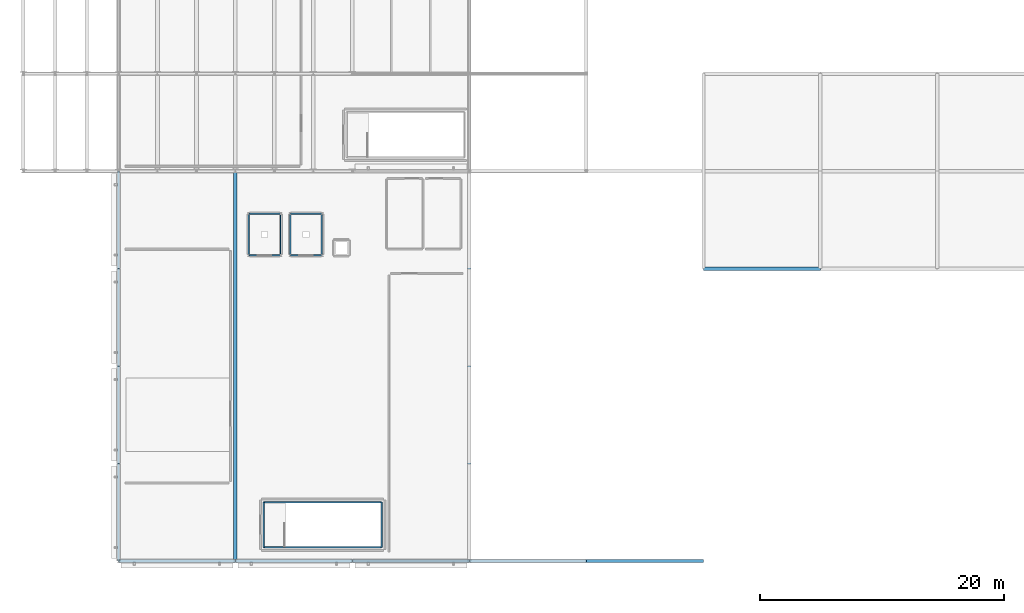
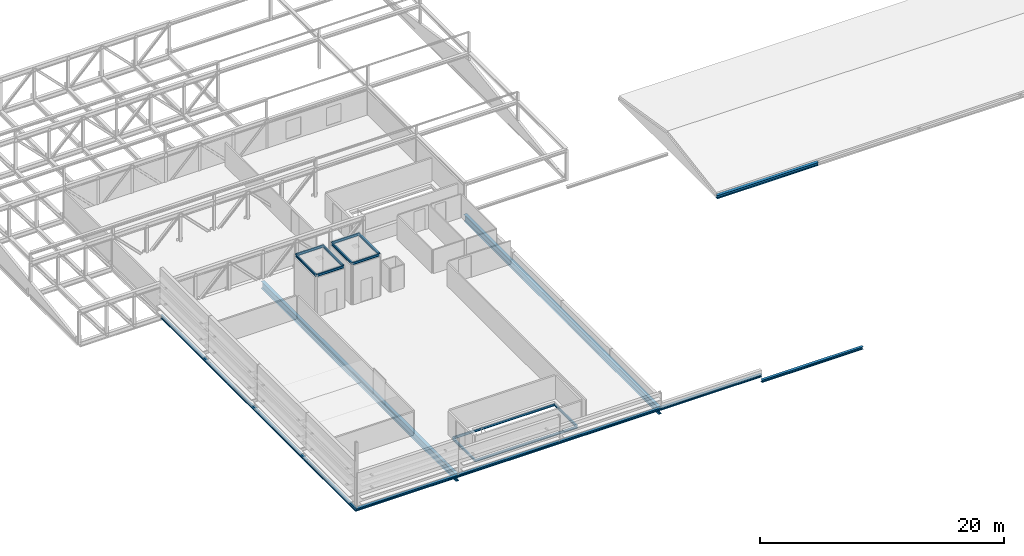
# One storey, part 11 of 34: 24 beams.
"""IFC4 building model written with IfcOpenShell, lengths in metres."""

from ifc_helpers import new_model, si_unit, direction, frame, origin, origin_2d, place, context, subcontext, project, spatial, i_section, extrude, material, material_profile, profile_set, type_object, element, save


model = new_model("IFC4")

# Units and contexts
model_context = context("Model", 3, precision=1e-05, world=origin(), true_north=direction((0.0, 1.0)))
body_context = subcontext(model_context, "Body", "Model", "MODEL_VIEW")
ifc_project = project(units=[si_unit("LENGTHUNIT", "METRE"), si_unit("AREAUNIT", "SQUARE_METRE"), si_unit("VOLUMEUNIT", "CUBIC_METRE"), si_unit("PLANEANGLEUNIT", "RADIAN"), si_unit("MASSUNIT", "GRAM", prefix="KILO")], contexts=[model_context])

# Site, building, storey
site_placement = place(None, origin())
site = spatial("IfcSite", under=ifc_project, at=site_placement, CompositionType="ELEMENT")
building_placement = place(site_placement, origin())
building = spatial("IfcBuilding", under=site, at=building_placement, Name="Alderhovde Museum", CompositionType="ELEMENT")
storey_placement = place(building_placement, frame((0.0, 0.0, 25.800048828125)))
storey = spatial("IfcBuildingStorey", under=building, at=storey_placement, Name="L05", CompositionType="ELEMENT", Elevation=25.800048828125)

# Beams
ifc_material_1 = material(Name="Steel S355J2", Category="steel")
ifc_material_profile_1 = material_profile(ifc_material_1, i_section(OverallWidth=0.300048828125, OverallDepth=0.330078125, WebThickness=0.009521484375, FlangeThickness=0.0166015625, FilletRadius=0.027099609375, at=origin_2d()), Name="HEA 340")
ifc_profile_set_1 = profile_set([ifc_material_profile_1], Name="Steel S355J2")
beam_type_1 = type_object("IfcBeamType", Name="BM-HEA340", PredefinedType="BEAM", material=ifc_profile_set_1)
beam_1_placement = place(storey_placement, frame((57.60009765625, 72.0, -0.420166015625), z_axis=(1.0, 0.0, 0.0), x_axis=(0.0, 1.0, 0.0)))
element("IfcBeam", 1, at=beam_1_placement, inside=storey, type_object=beam_type_1, Name="L05 Skybridge Roof Beam Y=72", PredefinedType="BEAM", context=body_context, shape_type="SweptSolid", body=[
    extrude(i_section(OverallWidth=0.300048828125, OverallDepth=0.330078125, WebThickness=0.009521484375, FlangeThickness=0.0166015625, FilletRadius=0.027099609375, at=origin_2d()), origin(), (0.0, 0.0, 1.0), 9.599853515625),
])
ifc_material_2 = material(Name="Steel S355J2", Category="steel")
ifc_material_profile_2 = material_profile(ifc_material_2, i_section(OverallWidth=0.300048828125, OverallDepth=0.699951171875, WebThickness=0.01708984375, FlangeThickness=0.031982421875, FilletRadius=0.027099609375, at=origin_2d()), Name="HEB 700")
ifc_profile_set_2 = profile_set([ifc_material_profile_2], Name="Steel S355J2")
beam_type_2 = type_object("IfcBeamType", Name="BM-HEB700", PredefinedType="BEAM", material=ifc_profile_set_2)
for number, where, z_axis, x_axis, name in (
    (2, (19.199951171875, 48.0, -0.610107421875), (0.0, 1.0, 0.0), (-1.0, 0.0, 0.0), "L05 Grid Beam X=19.2 (48.0 TO 80.0)"),
    (3, (38.39990234375, 48.0, -0.610107421875), (0.0, 1.0, 0.0), (-1.0, 0.0, 0.0), "L05 Grid Beam X=38.4 (48.0 TO 80.0)"),
):
    element("IfcBeam", number, at=place(storey_placement, frame(where, z_axis=z_axis, x_axis=x_axis)), inside=storey, type_object=beam_type_2, Name=name, PredefinedType="BEAM", context=body_context, shape_type="SweptSolid", body=[
        extrude(i_section(OverallWidth=0.300048828125, OverallDepth=0.699951171875, WebThickness=0.01708984375, FlangeThickness=0.031982421875, FilletRadius=0.027099609375, at=origin_2d()), origin(), (0.0, 0.0, 1.0), 32.0),
    ])
ifc_material_3 = material(Name="Steel S355J2", Category="steel")
ifc_material_profile_3 = material_profile(ifc_material_3, i_section(OverallWidth=0.1201171875, OverallDepth=0.239990234375, WebThickness=0.006103515625, FlangeThickness=0.009765625, FilletRadius=0.014892578125, at=origin_2d()), Name="IPE 240")
ifc_profile_set_3 = profile_set([ifc_material_profile_3], Name="Steel S355J2")
beam_type_3 = type_object("IfcBeamType", Name="BM-IPE240", PredefinedType="BEAM", material=ifc_profile_set_3)
for number, where, z_axis, x_axis, name in (
    (4, (21.52001953125, 49.1201171875, -0.380126953125), (1.0, 0.0, 0.0), (0.0, 1.0, 0.0), "L05 Stair ST1 Floor Trimmer S"),
    (5, (21.52001953125, 52.840087890625, -0.380126953125), (1.0, 0.0, 0.0), (0.0, 1.0, 0.0), "L05 Stair ST1 Floor Trimmer N"),
):
    element("IfcBeam", number, at=place(storey_placement, frame(where, z_axis=z_axis, x_axis=x_axis)), inside=storey, type_object=beam_type_3, Name=name, PredefinedType="BEAM", context=body_context, shape_type="SweptSolid", body=[
        extrude(i_section(OverallWidth=0.1201171875, OverallDepth=0.239990234375, WebThickness=0.006103515625, FlangeThickness=0.009765625, FilletRadius=0.014892578125, at=origin_2d()), origin(), (0.0, 0.0, 1.0), 9.679931640625),
    ])
for number, where, z_axis, x_axis, name in (
    (6, (21.52001953125, 49.1201171875, -0.380126953125), (0.0, 1.0, 0.0), (-1.0, 0.0, 0.0), "L05 Stair ST1 Floor Trimmer W"),
    (7, (31.199951171875, 49.1201171875, -0.380126953125), (0.0, 1.0, 0.0), (-1.0, 0.0, 0.0), "L05 Stair ST1 Floor Trimmer E"),
):
    element("IfcBeam", number, at=place(storey_placement, frame(where, z_axis=z_axis, x_axis=x_axis)), inside=storey, type_object=beam_type_3, Name=name, PredefinedType="BEAM", context=body_context, shape_type="SweptSolid", body=[
        extrude(i_section(OverallWidth=0.1201171875, OverallDepth=0.239990234375, WebThickness=0.006103515625, FlangeThickness=0.009765625, FilletRadius=0.014892578125, at=origin_2d()), origin(), (0.0, 0.0, 1.0), 3.719970703125),
    ])
for number, where, z_axis, x_axis, name in (
    (8, (20.300048828125, 73.10009765625, 4.06005859375), (1.0, 0.0, 0.0), (0.0, 1.0, 0.0), "L05 Lift PL-01 Cap Beam S"),
    (9, (20.300048828125, 76.5, 4.06005859375), (1.0, 0.0, 0.0), (0.0, 1.0, 0.0), "L05 Lift PL-01 Cap Beam N"),
):
    element("IfcBeam", number, at=place(storey_placement, frame(where, z_axis=z_axis, x_axis=x_axis)), inside=storey, type_object=beam_type_3, Name=name, PredefinedType="BEAM", context=body_context, shape_type="SweptSolid", body=[
        extrude(i_section(OverallWidth=0.1201171875, OverallDepth=0.239990234375, WebThickness=0.006103515625, FlangeThickness=0.009765625, FilletRadius=0.014892578125, at=origin_2d()), origin(), (0.0, 0.0, 1.0), 2.599853515625),
    ])
for number, where, z_axis, x_axis, name in (
    (10, (20.300048828125, 73.10009765625, 4.06005859375), (0.0, 1.0, 0.0), (-1.0, 0.0, 0.0), "L05 Lift PL-01 Cap Beam W"),
    (11, (22.89990234375, 73.10009765625, 4.06005859375), (0.0, 1.0, 0.0), (-1.0, 0.0, 0.0), "L05 Lift PL-01 Cap Beam E"),
):
    element("IfcBeam", number, at=place(storey_placement, frame(where, z_axis=z_axis, x_axis=x_axis)), inside=storey, type_object=beam_type_3, Name=name, PredefinedType="BEAM", context=body_context, shape_type="SweptSolid", body=[
        extrude(i_section(OverallWidth=0.1201171875, OverallDepth=0.239990234375, WebThickness=0.006103515625, FlangeThickness=0.009765625, FilletRadius=0.014892578125, at=origin_2d()), origin(), (0.0, 0.0, 1.0), 3.39990234375),
    ])
for number, where, z_axis, x_axis, name in (
    (12, (23.699951171875, 73.10009765625, 4.06005859375), (1.0, 0.0, 0.0), (0.0, 1.0, 0.0), "L05 Lift PL-02 Cap Beam S"),
    (13, (23.699951171875, 76.5, 4.06005859375), (1.0, 0.0, 0.0), (0.0, 1.0, 0.0), "L05 Lift PL-02 Cap Beam N"),
):
    element("IfcBeam", number, at=place(storey_placement, frame(where, z_axis=z_axis, x_axis=x_axis)), inside=storey, type_object=beam_type_3, Name=name, PredefinedType="BEAM", context=body_context, shape_type="SweptSolid", body=[
        extrude(i_section(OverallWidth=0.1201171875, OverallDepth=0.239990234375, WebThickness=0.006103515625, FlangeThickness=0.009765625, FilletRadius=0.014892578125, at=origin_2d()), origin(), (0.0, 0.0, 1.0), 2.60009765625),
    ])
for number, where, z_axis, x_axis, name in (
    (14, (23.699951171875, 73.10009765625, 4.06005859375), (0.0, 1.0, 0.0), (-1.0, 0.0, 0.0), "L05 Lift PL-02 Cap Beam W"),
    (15, (26.300048828125, 73.10009765625, 4.06005859375), (0.0, 1.0, 0.0), (-1.0, 0.0, 0.0), "L05 Lift PL-02 Cap Beam E"),
):
    element("IfcBeam", number, at=place(storey_placement, frame(where, z_axis=z_axis, x_axis=x_axis)), inside=storey, type_object=beam_type_3, Name=name, PredefinedType="BEAM", context=body_context, shape_type="SweptSolid", body=[
        extrude(i_section(OverallWidth=0.1201171875, OverallDepth=0.239990234375, WebThickness=0.006103515625, FlangeThickness=0.009765625, FilletRadius=0.014892578125, at=origin_2d()), origin(), (0.0, 0.0, 1.0), 3.39990234375),
    ])
ifc_material_4 = material(Name="Steel S355J2", Category="steel")
ifc_material_profile_4 = material_profile(ifc_material_4, i_section(OverallWidth=0.169921875, OverallDepth=0.360107421875, WebThickness=0.008056640625, FlangeThickness=0.0126953125, FilletRadius=0.01806640625, at=origin_2d()), Name="IPE 360")
ifc_profile_set_4 = profile_set([ifc_material_profile_4], Name="Steel S355J2")
beam_type_4 = type_object("IfcBeamType", Name="BM-IPE360", PredefinedType="BEAM", material=ifc_profile_set_4)
for number, where, z_axis, x_axis, name in (
    (16, (9.60009765625, 48.0, -0.43994140625), (0.0, 1.0, 0.0), (-1.0, 0.0, 0.0), "L05 Grid Beam X=9.6 (48.0 TO 56.0)"),
    (17, (9.60009765625, 56.0, -0.43994140625), (0.0, 1.0, 0.0), (-1.0, 0.0, 0.0), "L05 Grid Beam X=9.6 (56.0 TO 64.0)"),
    (18, (9.60009765625, 64.0, -0.43994140625), (0.0, 1.0, 0.0), (-1.0, 0.0, 0.0), "L05 Grid Beam X=9.6 (64.0 TO 72.0)"),
    (19, (9.60009765625, 72.0, -0.43994140625), (0.0, 1.0, 0.0), (-1.0, 0.0, 0.0), "L05 Grid Beam X=9.6 (72.0 TO 80.0)"),
):
    element("IfcBeam", number, at=place(storey_placement, frame(where, z_axis=z_axis, x_axis=x_axis)), inside=storey, type_object=beam_type_4, Name=name, PredefinedType="BEAM", context=body_context, shape_type="SweptSolid", body=[
        extrude(i_section(OverallWidth=0.169921875, OverallDepth=0.360107421875, WebThickness=0.008056640625, FlangeThickness=0.0126953125, FilletRadius=0.01806640625, at=origin_2d()), origin(), (0.0, 0.0, 1.0), 8.0),
    ])
ifc_material_5 = material(Name="Steel S355J2", Category="steel")
ifc_material_profile_5 = material_profile(ifc_material_5, i_section(OverallWidth=0.260009765625, OverallDepth=0.25, WebThickness=0.007568359375, FlangeThickness=0.012451171875, FilletRadius=0.02392578125, at=origin_2d()), Name="HEA 260")
ifc_profile_set_5 = profile_set([ifc_material_profile_5], Name="Steel S355J2")
beam_type_5 = type_object("IfcBeamType", Name="SPD-HEA260", PredefinedType="SPANDREL", material=ifc_profile_set_5)
beam_2_placement = place(storey_placement, frame((9.60009765625, 48.0, -0.385009765625), z_axis=(1.0, 0.0, 0.0), x_axis=(0.0, 1.0, 0.0)))
element("IfcBeam", 20, at=beam_2_placement, inside=storey, type_object=beam_type_5, Name="L05 Grid Beam Y=48.0 (9.6 TO 19.2)", PredefinedType="SPANDREL", context=body_context, shape_type="SweptSolid", body=[
    extrude(i_section(OverallWidth=0.260009765625, OverallDepth=0.25, WebThickness=0.007568359375, FlangeThickness=0.012451171875, FilletRadius=0.02392578125, at=origin_2d()), origin(), (0.0, 0.0, 1.0), 9.599853515625),
])
beam_3_placement = place(storey_placement, frame((19.199951171875, 48.0, -0.385009765625), z_axis=(1.0, 0.0, 0.0), x_axis=(0.0, 1.0, 0.0)))
element("IfcBeam", 21, at=beam_3_placement, inside=storey, type_object=beam_type_5, Name="L05 Grid Beam Y=48.0 (19.2 TO 28.8)", PredefinedType="SPANDREL", context=body_context, shape_type="SweptSolid", body=[
    extrude(i_section(OverallWidth=0.260009765625, OverallDepth=0.25, WebThickness=0.007568359375, FlangeThickness=0.012451171875, FilletRadius=0.02392578125, at=origin_2d()), origin(), (0.0, 0.0, 1.0), 9.60009765625),
])
beam_4_placement = place(storey_placement, frame((28.800048828125, 48.0, -0.385009765625), z_axis=(1.0, 0.0, 0.0), x_axis=(0.0, 1.0, 0.0)))
element("IfcBeam", 22, at=beam_4_placement, inside=storey, type_object=beam_type_5, Name="L05 Grid Beam Y=48.0 (28.8 TO 38.4)", PredefinedType="SPANDREL", context=body_context, shape_type="SweptSolid", body=[
    extrude(i_section(OverallWidth=0.260009765625, OverallDepth=0.25, WebThickness=0.007568359375, FlangeThickness=0.012451171875, FilletRadius=0.02392578125, at=origin_2d()), origin(), (0.0, 0.0, 1.0), 9.599853515625),
])
for number, where, z_axis, x_axis, name in (
    (23, (38.39990234375, 48.0, -0.385009765625), (1.0, 0.0, 0.0), (0.0, 1.0, 0.0), "L05 Folded Wing Fascia Beam Y=48"),
    (24, (48.0, 48.0, -0.97509765625), (1.0, 0.0, 0.0), (0.0, 1.0, 0.0), "L05 Folded Wing Fascia Beam Y=48"),
):
    element("IfcBeam", number, at=place(storey_placement, frame(where, z_axis=z_axis, x_axis=x_axis)), inside=storey, type_object=beam_type_5, Name=name, PredefinedType="SPANDREL", context=body_context, shape_type="SweptSolid", body=[
        extrude(i_section(OverallWidth=0.260009765625, OverallDepth=0.25, WebThickness=0.007568359375, FlangeThickness=0.012451171875, FilletRadius=0.02392578125, at=origin_2d()), origin(), (0.0, 0.0, 1.0), 9.60009765625),
    ])

save(model, "model.ifc")
